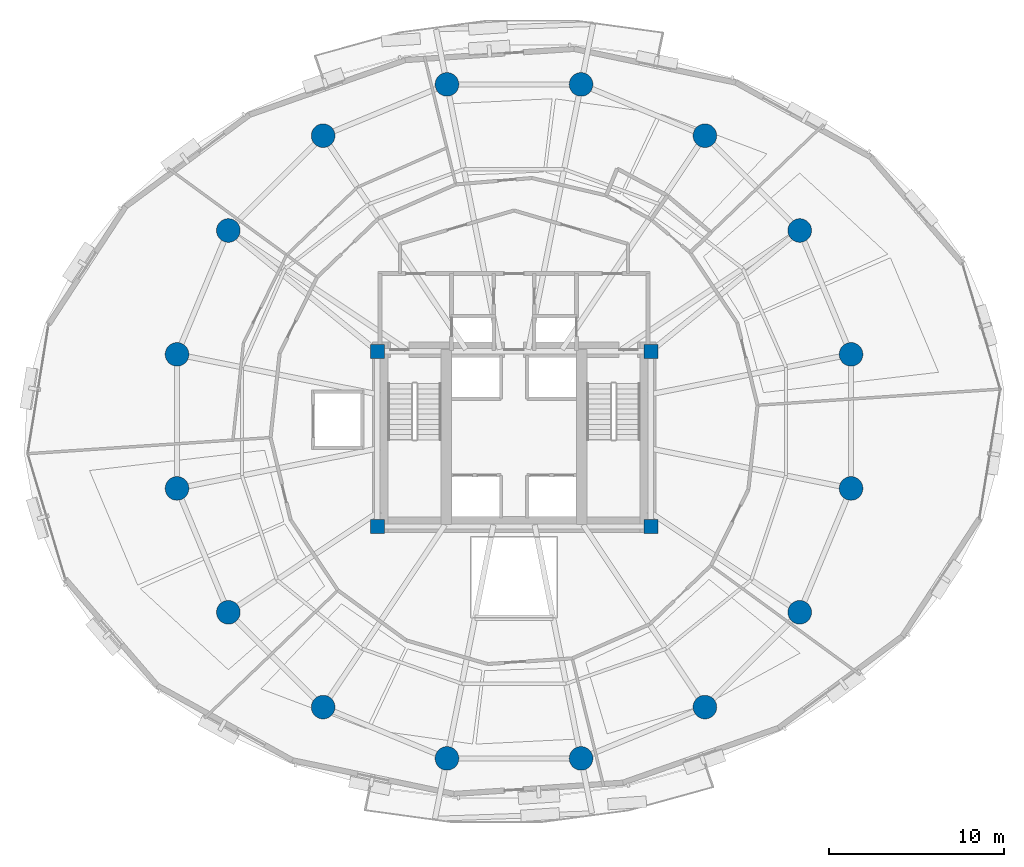
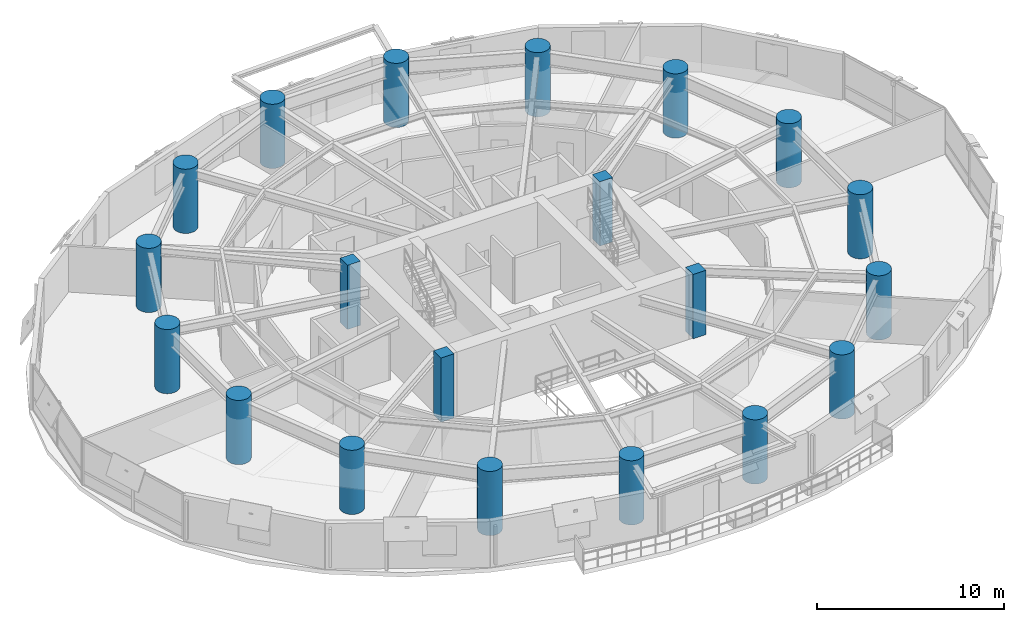
# One storey, part 1 of 16: 20 columns.
"""IFC4 building model written with IfcOpenShell, lengths in metres."""

from ifc_helpers import new_model, si_unit, direction, frame, origin, origin_2d, place, context, subcontext, project, spatial, rectangle, circle, extrude, material, material_profile, profile_set, type_object, element, save


model = new_model("IFC4")

# Units and contexts
model_context = context("Model", 3, precision=1e-05, world=origin(), true_north=direction((0.0, 1.0)))
body_context = subcontext(model_context, "Body", "Model", "MODEL_VIEW")
ifc_project = project(units=[si_unit("LENGTHUNIT", "METRE"), si_unit("AREAUNIT", "SQUARE_METRE"), si_unit("VOLUMEUNIT", "CUBIC_METRE"), si_unit("PLANEANGLEUNIT", "RADIAN"), si_unit("MASSUNIT", "GRAM", prefix="KILO"), si_unit("THERMODYNAMICTEMPERATUREUNIT", "KELVIN"), si_unit("POWERUNIT", "WATT")], contexts=[model_context])

# Site, building, storey
site_placement = place(None, origin())
site = spatial("IfcSite", under=ifc_project, at=site_placement, CompositionType="ELEMENT")
building_placement = place(site_placement, origin())
building = spatial("IfcBuilding", under=site, at=building_placement, Name="Ocrelia Relay Tower", CompositionType="ELEMENT")
storey_placement = place(building_placement, frame((0.0, 0.0, 46.800048828125)))
storey = spatial("IfcBuildingStorey", under=building, at=storey_placement, Name="L10", CompositionType="ELEMENT", Elevation=46.800048828125)

# Columns
ifc_material_1 = material(Name="Concrete C70/85", Category="concrete")
ifc_material_profile_1 = material_profile(ifc_material_1, circle(Radius=0.675048828125, at=origin_2d()), Name="RC-CIR-1350")
ifc_profile_set_1 = profile_set([ifc_material_profile_1], Name="Concrete C70/85")
column_type_1 = type_object("IfcColumnType", Name="COL-CT-1350", PredefinedType="COLUMN", material=ifc_profile_set_1)
for number, where, z_axis, x_axis, name in (
    (1, (53.223388671875, 29.82373046875, 0.0), (0.0, 0.0, 1.0), (1.0, 0.0, 0.0), "L10 Perimeter Ring Column C01"),
    (2, (50.296875, 36.88916015625, 0.0), (0.0, 0.0, 1.0), (1.0, 0.0, 0.0), "L10 Perimeter Ring Column C02"),
    (3, (44.88916015625, 42.296875, 0.0), (0.0, 0.0, 1.0), (1.0, 0.0, 0.0), "L10 Perimeter Ring Column C03"),
    (4, (37.82373046875, 45.223388671875, 0.0), (0.0, 0.0, 1.0), (1.0, 0.0, 0.0), "L10 Perimeter Ring Column C04"),
    (5, (30.17626953125, 45.223388671875, 0.0), (0.0, 0.0, 1.0), (1.0, 0.0, 0.0), "L10 Perimeter Ring Column C05"),
    (6, (23.11083984375, 42.296875, 0.0), (0.0, 0.0, 1.0), (1.0, 0.0, 0.0), "L10 Perimeter Ring Column C06"),
    (7, (17.703125, 36.88916015625, 0.0), (0.0, 0.0, 1.0), (1.0, 0.0, 0.0), "L10 Perimeter Ring Column C07"),
    (8, (14.776611328125, 29.82373046875, 0.0), (0.0, 0.0, 1.0), (1.0, 0.0, 0.0), "L10 Perimeter Ring Column C08"),
    (9, (14.776611328125, 22.17626953125, 0.0), (0.0, 0.0, 1.0), (1.0, 0.0, 0.0), "L10 Perimeter Ring Column C09"),
    (10, (17.703125, 15.11083984375, 0.0), (0.0, 0.0, 1.0), (1.0, 0.0, 0.0), "L10 Perimeter Ring Column C10"),
    (11, (23.11083984375, 9.703125, 0.0), (0.0, 0.0, 1.0), (1.0, 0.0, 0.0), "L10 Perimeter Ring Column C11"),
    (12, (30.17626953125, 6.776611328125, 0.0), (0.0, 0.0, 1.0), (1.0, 0.0, 0.0), "L10 Perimeter Ring Column C12"),
    (13, (37.82373046875, 6.776611328125, 0.0), (0.0, 0.0, 1.0), (1.0, 0.0, 0.0), "L10 Perimeter Ring Column C13"),
    (14, (44.88916015625, 9.703125, 0.0), (0.0, 0.0, 1.0), (1.0, 0.0, 0.0), "L10 Perimeter Ring Column C14"),
    (15, (50.296875, 15.11083984375, 0.0), (0.0, 0.0, 1.0), (1.0, 0.0, 0.0), "L10 Perimeter Ring Column C15"),
    (16, (53.223388671875, 22.17626953125, 0.0), (0.0, 0.0, 1.0), (1.0, 0.0, 0.0), "L10 Perimeter Ring Column C16"),
):
    element("IfcColumn", number, at=place(storey_placement, frame(where, z_axis=z_axis, x_axis=x_axis)), inside=storey, type_object=column_type_1, Name=name, PredefinedType="COLUMN", context=body_context, shape_type="SweptSolid", body=[
        extrude(circle(Radius=0.675048828125, at=origin_2d()), origin(), (0.0, 0.0, 1.0), 4.199951171875),
    ])
ifc_material_2 = material(Name="Concrete C60/75", Category="concrete")
ifc_material_profile_2 = material_profile(ifc_material_2, rectangle(XDim=0.800048828125, YDim=0.800048828125, at=origin_2d()), Name="RC-COL-800x800")
ifc_profile_set_2 = profile_set([ifc_material_profile_2], Name="Concrete C60/75")
column_type_2 = type_object("IfcColumnType", Name="COL-PILASTER-800", PredefinedType="PILASTER", material=ifc_profile_set_2)
for number, where, z_axis, x_axis, name in (
    (17, (26.199951171875, 20.0, 0.0), (0.0, 0.0, 1.0), (1.0, 0.0, 0.0), "L10 Core Corner Pilaster SW"),
    (18, (41.800048828125, 20.0, 0.0), (0.0, 0.0, 1.0), (1.0, 0.0, 0.0), "L10 Core Corner Pilaster SE"),
    (19, (26.199951171875, 30.0, 0.0), (0.0, 0.0, 1.0), (1.0, 0.0, 0.0), "L10 Core Corner Pilaster NW"),
    (20, (41.800048828125, 30.0, 0.0), (0.0, 0.0, 1.0), (1.0, 0.0, 0.0), "L10 Core Corner Pilaster NE"),
):
    element("IfcColumn", number, at=place(storey_placement, frame(where, z_axis=z_axis, x_axis=x_axis)), inside=storey, type_object=column_type_2, Name=name, PredefinedType="PILASTER", context=body_context, shape_type="SweptSolid", body=[
        extrude(rectangle(XDim=0.800048828125, YDim=0.800048828125, at=origin_2d()), origin(), (0.0, 0.0, 1.0), 4.199951171875),
    ])

save(model, "model.ifc")
